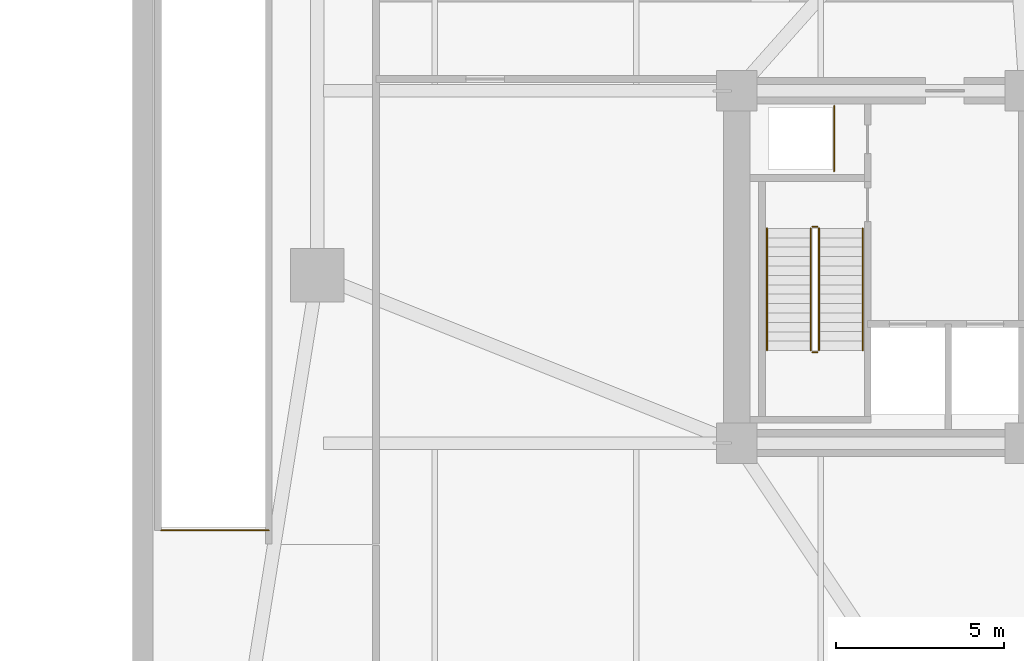
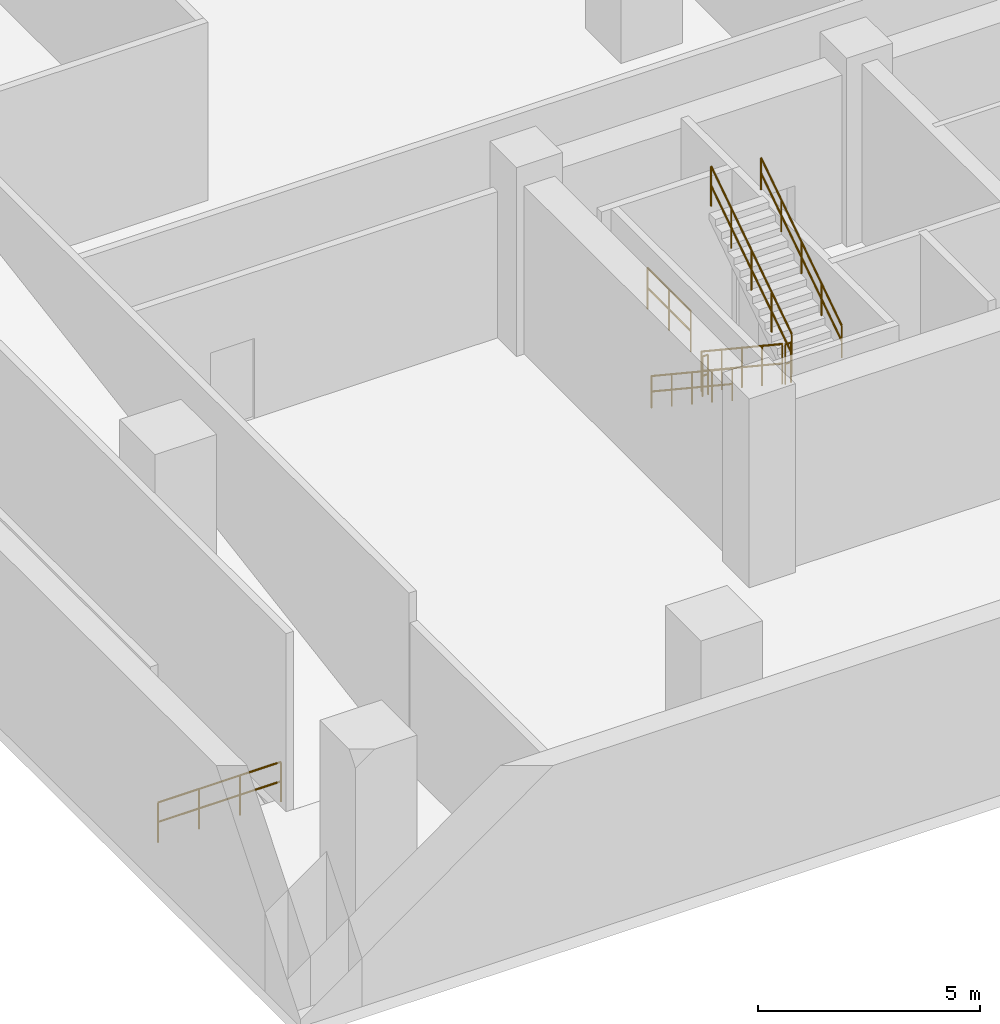
# One storey, part 7 of 9: 8 railings.
"""IFC4 building model written with IfcOpenShell, lengths in metres."""

from ifc_helpers import new_model, si_unit, direction, frame, origin, origin_2d, place, context, subcontext, project, spatial, circle, extrude, material, layer, layer_set, type_object, element, save


model = new_model("IFC4")

# Units and contexts
model_context = context("Model", 3, precision=1e-05, world=origin(), true_north=direction((0.0, 1.0)))
body_context = subcontext(model_context, "Body", "Model", "MODEL_VIEW")
ifc_project = project(units=[si_unit("LENGTHUNIT", "METRE"), si_unit("AREAUNIT", "SQUARE_METRE"), si_unit("VOLUMEUNIT", "CUBIC_METRE"), si_unit("PLANEANGLEUNIT", "RADIAN"), si_unit("MASSUNIT", "GRAM", prefix="KILO")], contexts=[model_context])

# Site, building, storey
site_placement = place(None, origin())
site = spatial("IfcSite", under=ifc_project, at=site_placement, CompositionType="ELEMENT")
building_placement = place(site_placement, origin())
building = spatial("IfcBuilding", under=site, at=building_placement, Name="Solmavex Isthmus Hotel", CompositionType="ELEMENT")
storey_placement = place(building_placement, frame((0.0, 0.0, -5.199951171875)))
storey = spatial("IfcBuildingStorey", under=building, at=storey_placement, Name="B01", CompositionType="ELEMENT", Elevation=-5.199951171875)

# Railings
ifc_material_1 = material(Name="Clear low-E laminated glass", Category="glass")
ifc_layer_1 = layer(ifc_material_1, 0.080078125)
ifc_layer_set_1 = layer_set([ifc_layer_1], Name="Clear low-E laminated glass")
railing_type_1 = type_object("IfcRailingType", Name="RAIL-ATRIUM-1120", PredefinedType="BALUSTRADE", material=ifc_layer_set_1)
railing_1_placement = place(storey_placement, frame((-13.10009765625, -4.89990234375, 0.0)))
element("IfcRailing", 1, at=railing_1_placement, inside=storey, type_object=railing_type_1, Name="Guardrail Balustrade B01-RSW-01", PredefinedType="BALUSTRADE", context=body_context, shape_type="SweptSolid", body=[
    extrude(circle(Radius=0.02392578125, at=origin_2d()), frame((0.0, 0.0, 1.1259765625), z_axis=(0.0, 1.0, 0.0), x_axis=(-1.0, 0.0, 0.0)), (0.0, 0.0, 1.0), 1.949951171875),
    extrude(circle(Radius=0.02392578125, at=origin_2d()), frame((0.0, 0.0, 0.574951171875), z_axis=(0.0, 1.0, 0.0), x_axis=(-1.0, 0.0, 0.0)), (0.0, 0.0, 1.0), 1.949951171875),
    extrude(circle(Radius=0.02099609375, at=origin_2d()), origin(), (0.0, 0.0, 1.0), 1.101806640625),
    extrude(circle(Radius=0.02099609375, at=origin_2d()), frame((0.0, 0.97509765625, 0.0)), (0.0, 0.0, 1.0), 1.101806640625),
    extrude(circle(Radius=0.02099609375, at=origin_2d()), frame((0.0, 1.949951171875, 0.0)), (0.0, 0.0, 1.0), 1.101806640625),
])
ifc_layer_2 = layer(ifc_material_1, 0.070068359375)
ifc_layer_set_2 = layer_set([ifc_layer_2], Name="Clear low-E laminated glass")
railing_type_2 = type_object("IfcRailingType", Name="RAIL-GUARD-1100", PredefinedType="BALUSTRADE", material=ifc_layer_set_2)
railing_2_placement = place(storey_placement, frame((-33.14990234375, -15.60009765625, 0.0)))
element("IfcRailing", 2, at=railing_2_placement, inside=storey, type_object=railing_type_2, Name="Guardrail Balustrade B01-RAMP-01", PredefinedType="BALUSTRADE", context=body_context, shape_type="SweptSolid", body=[
    extrude(circle(Radius=0.02392578125, at=origin_2d()), frame((0.0, 0.0, 1.09619140625), z_axis=(1.0, 0.0, 0.0), x_axis=(0.0, 1.0, 0.0)), (0.0, 0.0, 1.0), 3.199951171875),
    extrude(circle(Radius=0.02392578125, at=origin_2d()), frame((0.0, 0.0, 0.56005859375), z_axis=(1.0, 0.0, 0.0), x_axis=(0.0, 1.0, 0.0)), (0.0, 0.0, 1.0), 3.199951171875),
    extrude(circle(Radius=0.02099609375, at=origin_2d()), origin(), (0.0, 0.0, 1.0), 1.072021484375),
    extrude(circle(Radius=0.02099609375, at=origin_2d()), frame((1.066650390625, 0.0, 0.0)), (0.0, 0.0, 1.0), 1.072021484375),
    extrude(circle(Radius=0.02099609375, at=origin_2d()), frame((2.13330078125, 0.0, 0.0)), (0.0, 0.0, 1.0), 1.072021484375),
    extrude(circle(Radius=0.02099609375, at=origin_2d()), frame((3.199951171875, 0.0, 0.0)), (0.0, 0.0, 1.0), 1.072021484375),
])
ifc_material_2 = material(Name="Stainless steel 316", Category="steel")
ifc_layer_3 = layer(ifc_material_2, 0.06005859375)
ifc_layer_set_3 = layer_set([ifc_layer_3], Name="Stainless steel 316")
railing_type_3 = type_object("IfcRailingType", Name="RAIL-STAIR-GD", PredefinedType="GUARDRAIL", material=ifc_layer_set_3)
railing_3_placement = place(storey_placement, frame((-13.800048828125, -6.60009765625, 0.185546875)))
element("IfcRailing", 3, at=railing_3_placement, inside=storey, type_object=railing_type_3, Name="B01 ST-1 stair guard 1", PredefinedType="GUARDRAIL", context=body_context, shape_type="SweptSolid", body=[
    extrude(circle(Radius=0.02392578125, at=origin_2d()), frame((0.0, 0.0, 1.09619140625), z_axis=(0.0, -0.833346510843, 0.552750932036), x_axis=(1.0, 0.0, 0.0)), (0.0, 0.0, 1.0), 4.367919921875),
    extrude(circle(Radius=0.02392578125, at=origin_2d()), frame((0.0, 0.0, 0.56005859375), z_axis=(0.0, -0.833346510843, 0.552750932036), x_axis=(1.0, 0.0, 0.0)), (0.0, 0.0, 1.0), 4.367919921875),
    extrude(circle(Radius=0.02099609375, at=origin_2d()), origin(), (0.0, 0.0, 1.0), 1.072021484375),
    extrude(circle(Radius=0.02099609375, at=origin_2d()), frame((0.0, -0.909912109375, 0.603515625)), (0.0, 0.0, 1.0), 1.072021484375),
    extrude(circle(Radius=0.02099609375, at=origin_2d()), frame((0.0, -1.81982421875, 1.20703125)), (0.0, 0.0, 1.0), 1.072021484375),
    extrude(circle(Radius=0.02099609375, at=origin_2d()), frame((0.0, -2.72998046875, 1.810791015625)), (0.0, 0.0, 1.0), 1.072021484375),
    extrude(circle(Radius=0.02099609375, at=origin_2d()), frame((0.0, -3.639892578125, 2.414306640625)), (0.0, 0.0, 1.0), 1.072021484375),
])
railing_4_placement = place(storey_placement, frame((-13.75, -10.2900390625, 2.599853515625)))
element("IfcRailing", 4, at=railing_4_placement, inside=storey, type_object=railing_type_3, Name="B01 ST-1 stair guard 2", PredefinedType="GUARDRAIL", context=body_context, shape_type="SweptSolid", body=[
    extrude(circle(Radius=0.02392578125, at=origin_2d()), frame((0.0, 0.0, 1.09619140625), z_axis=(1.0, 0.0, 0.0), x_axis=(0.0, 1.0, 0.0)), (0.0, 0.0, 1.0), 0.14990234375),
    extrude(circle(Radius=0.02392578125, at=origin_2d()), frame((0.0, 0.0, 0.56005859375), z_axis=(1.0, 0.0, 0.0), x_axis=(0.0, 1.0, 0.0)), (0.0, 0.0, 1.0), 0.14990234375),
    extrude(circle(Radius=0.02099609375, at=origin_2d()), origin(), (0.0, 0.0, 1.0), 1.072021484375),
    extrude(circle(Radius=0.02099609375, at=origin_2d()), frame((0.14990234375, 0.0, 0.0)), (0.0, 0.0, 1.0), 1.072021484375),
])
railing_5_placement = place(storey_placement, frame((-13.550048828125, -10.239990234375, 2.78564453125)))
element("IfcRailing", 5, at=railing_5_placement, inside=storey, type_object=railing_type_3, Name="B01 ST-1 stair guard 3", PredefinedType="GUARDRAIL", context=body_context, shape_type="SweptSolid", body=[
    extrude(circle(Radius=0.02392578125, at=origin_2d()), frame((0.0, 0.0, 1.09619140625), z_axis=(0.0, 0.833346510843, 0.552750932036), x_axis=(-1.0, 0.0, 0.0)), (0.0, 0.0, 1.0), 4.367919921875),
    extrude(circle(Radius=0.02392578125, at=origin_2d()), frame((0.0, 0.0, 0.56005859375), z_axis=(0.0, 0.833346510843, 0.552750932036), x_axis=(-1.0, 0.0, 0.0)), (0.0, 0.0, 1.0), 4.367919921875),
    extrude(circle(Radius=0.02099609375, at=origin_2d()), origin(), (0.0, 0.0, 1.0), 1.072021484375),
    extrude(circle(Radius=0.02099609375, at=origin_2d()), frame((0.0, 0.909912109375, 0.603515625)), (0.0, 0.0, 1.0), 1.072021484375),
    extrude(circle(Radius=0.02099609375, at=origin_2d()), frame((0.0, 1.81982421875, 1.20703125)), (0.0, 0.0, 1.0), 1.072021484375),
    extrude(circle(Radius=0.02099609375, at=origin_2d()), frame((0.0, 2.72998046875, 1.810791015625)), (0.0, 0.0, 1.0), 1.072021484375),
    extrude(circle(Radius=0.02099609375, at=origin_2d()), frame((0.0, 3.639892578125, 2.414306640625)), (0.0, 0.0, 1.0), 1.072021484375),
])
railing_6_placement = place(storey_placement, frame((-13.75, -6.550048828125, 0.0)))
element("IfcRailing", 6, at=railing_6_placement, inside=storey, type_object=railing_type_3, Name="B01 ST-1 stair guard 4", PredefinedType="GUARDRAIL", context=body_context, shape_type="SweptSolid", body=[
    extrude(circle(Radius=0.02392578125, at=origin_2d()), frame((0.0, 0.0, 1.09619140625), z_axis=(1.0, 0.0, 0.0), x_axis=(0.0, 1.0, 0.0)), (0.0, 0.0, 1.0), 0.14990234375),
    extrude(circle(Radius=0.02392578125, at=origin_2d()), frame((0.0, 0.0, 0.56005859375), z_axis=(1.0, 0.0, 0.0), x_axis=(0.0, 1.0, 0.0)), (0.0, 0.0, 1.0), 0.14990234375),
    extrude(circle(Radius=0.02099609375, at=origin_2d()), origin(), (0.0, 0.0, 1.0), 1.072021484375),
    extrude(circle(Radius=0.02099609375, at=origin_2d()), frame((0.14990234375, 0.0, 0.0)), (0.0, 0.0, 1.0), 1.072021484375),
])
ifc_layer_4 = layer(ifc_material_2, 0.050048828125)
ifc_layer_set_4 = layer_set([ifc_layer_4], Name="Stainless steel 316")
railing_type_4 = type_object("IfcRailingType", Name="RAIL-STAIR-HR", PredefinedType="HANDRAIL", material=ifc_layer_set_4)
railing_7_placement = place(storey_placement, frame((-15.10009765625, -6.60009765625, 0.185546875)))
element("IfcRailing", 7, at=railing_7_placement, inside=storey, type_object=railing_type_4, Name="B01 ST-1 stair handrail 1", PredefinedType="HANDRAIL", context=body_context, shape_type="SweptSolid", body=[
    extrude(circle(Radius=0.02392578125, at=origin_2d()), frame((0.0, 0.0, 0.8759765625), z_axis=(0.0, -0.833346510843, 0.552750932036), x_axis=(1.0, 0.0, 0.0)), (0.0, 0.0, 1.0), 4.367919921875),
    extrude(circle(Radius=0.02392578125, at=origin_2d()), frame((0.0, 0.0, 0.449951171875), z_axis=(0.0, -0.833346510843, 0.552750932036), x_axis=(1.0, 0.0, 0.0)), (0.0, 0.0, 1.0), 4.367919921875),
    extrude(circle(Radius=0.02099609375, at=origin_2d()), origin(), (0.0, 0.0, 1.0), 0.851806640625),
    extrude(circle(Radius=0.02099609375, at=origin_2d()), frame((0.0, -0.909912109375, 0.603515625)), (0.0, 0.0, 1.0), 0.851806640625),
    extrude(circle(Radius=0.02099609375, at=origin_2d()), frame((0.0, -1.81982421875, 1.20703125)), (0.0, 0.0, 1.0), 0.851806640625),
    extrude(circle(Radius=0.02099609375, at=origin_2d()), frame((0.0, -2.72998046875, 1.810791015625)), (0.0, 0.0, 1.0), 0.851806640625),
    extrude(circle(Radius=0.02099609375, at=origin_2d()), frame((0.0, -3.639892578125, 2.414306640625)), (0.0, 0.0, 1.0), 0.851806640625),
])
railing_8_placement = place(storey_placement, frame((-12.25, -10.239990234375, 2.78564453125)))
element("IfcRailing", 8, at=railing_8_placement, inside=storey, type_object=railing_type_4, Name="B01 ST-1 stair handrail 2", PredefinedType="HANDRAIL", context=body_context, shape_type="SweptSolid", body=[
    extrude(circle(Radius=0.02392578125, at=origin_2d()), frame((0.0, 0.0, 0.8759765625), z_axis=(0.0, 0.833346510843, 0.552750932036), x_axis=(-1.0, 0.0, 0.0)), (0.0, 0.0, 1.0), 4.367919921875),
    extrude(circle(Radius=0.02392578125, at=origin_2d()), frame((0.0, 0.0, 0.449951171875), z_axis=(0.0, 0.833346510843, 0.552750932036), x_axis=(-1.0, 0.0, 0.0)), (0.0, 0.0, 1.0), 4.367919921875),
    extrude(circle(Radius=0.02099609375, at=origin_2d()), origin(), (0.0, 0.0, 1.0), 0.851806640625),
    extrude(circle(Radius=0.02099609375, at=origin_2d()), frame((0.0, 0.909912109375, 0.603515625)), (0.0, 0.0, 1.0), 0.851806640625),
    extrude(circle(Radius=0.02099609375, at=origin_2d()), frame((0.0, 1.81982421875, 1.20703125)), (0.0, 0.0, 1.0), 0.851806640625),
    extrude(circle(Radius=0.02099609375, at=origin_2d()), frame((0.0, 2.72998046875, 1.810791015625)), (0.0, 0.0, 1.0), 0.851806640625),
    extrude(circle(Radius=0.02099609375, at=origin_2d()), frame((0.0, 3.639892578125, 2.414306640625)), (0.0, 0.0, 1.0), 0.851806640625),
])

save(model, "model.ifc")
